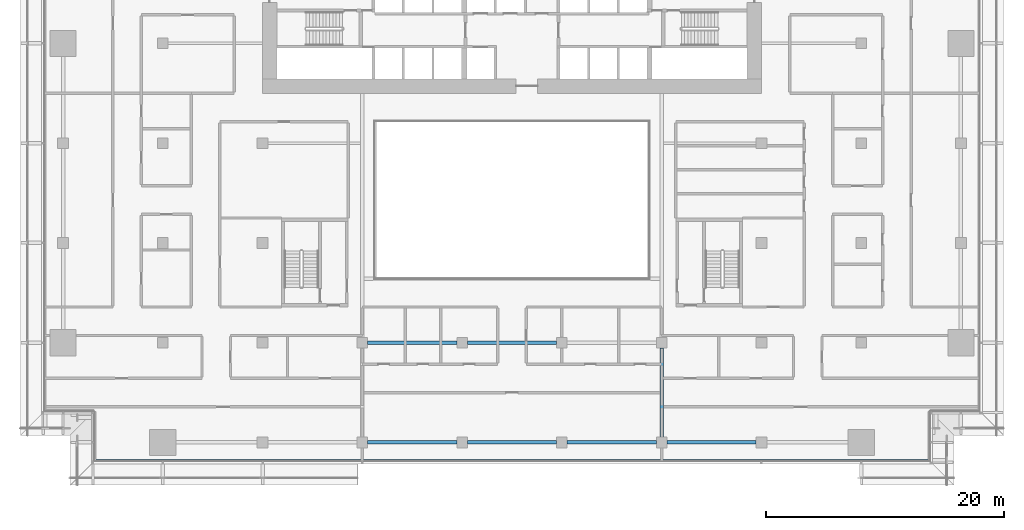
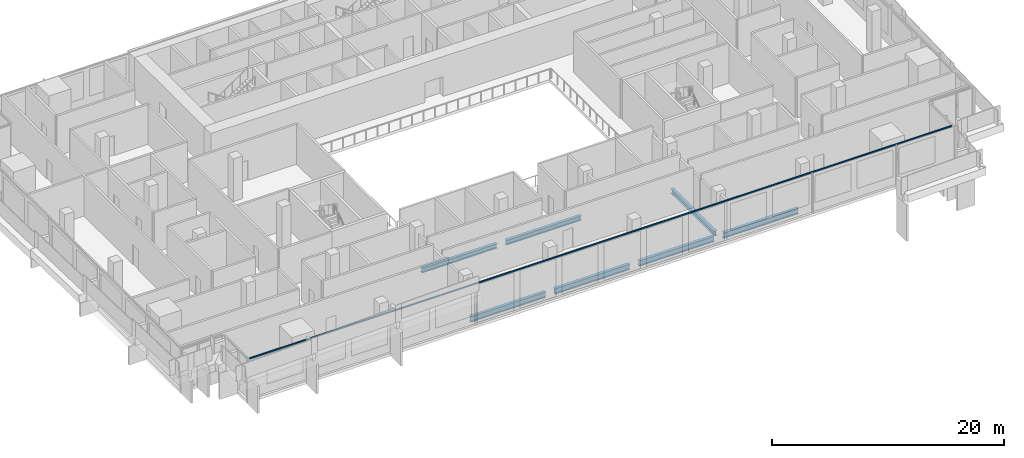
# One storey, part 3 of 23: 7 beams, 1 member, 1 element without a shape of its own.
"""IFC4 building model written with IfcOpenShell, lengths in metres."""

from ifc_helpers import new_model, si_unit, direction, frame, origin, origin_2d, place, context, subcontext, project, spatial, rectangle, i_section, extrude, material, material_profile, profile_set, type_object, element, aggregate, save


model = new_model("IFC4")

# Units and contexts
model_context = context("Model", 3, precision=1e-05, world=origin(), true_north=direction((0.0, 1.0)))
body_context = subcontext(model_context, "Body", "Model", "MODEL_VIEW")
ifc_project = project(units=[si_unit("LENGTHUNIT", "METRE"), si_unit("AREAUNIT", "SQUARE_METRE"), si_unit("VOLUMEUNIT", "CUBIC_METRE"), si_unit("PLANEANGLEUNIT", "RADIAN"), si_unit("MASSUNIT", "GRAM", prefix="KILO")], contexts=[model_context])

# Site, building, storey
site_placement = place(None, origin())
site = spatial("IfcSite", under=ifc_project, at=site_placement, CompositionType="ELEMENT")
building_placement = place(site_placement, origin())
building = spatial("IfcBuilding", under=site, at=building_placement, Name="Saffron Gate Tower", CompositionType="ELEMENT")
storey_placement = place(building_placement, frame((0.0, 0.0, 23.699951171875)))
storey = spatial("IfcBuildingStorey", under=building, at=storey_placement, Name="L04", CompositionType="ELEMENT", Elevation=23.699951171875)

# Beams
ifc_material_1 = material(Name="Structural steel S355", Category="steel")
ifc_material_profile_1 = material_profile(ifc_material_1, i_section(OverallWidth=0.300048828125, OverallDepth=0.590087890625, WebThickness=0.012939453125, FlangeThickness=0.02490234375, FilletRadius=0.027099609375, at=origin_2d()))
ifc_profile_set_1 = profile_set([ifc_material_profile_1], Name="Structural steel S355")
beam_type_1 = type_object("IfcBeamType", Name="B14 HEA 600", PredefinedType="SPANDREL", material=ifc_profile_set_1)
for number, where, z_axis, x_axis, name in (
    (1, (75.449951171875, 31.800048828125, -0.594970703125), (1.0, 0.0, 0.0), (0.0, 1.0, 0.0), "B14 SPANDREL BEAM"),
    (2, (83.85009765625, 31.800048828125, -0.594970703125), (1.0, 0.0, 0.0), (0.0, 1.0, 0.0), "B14 SPANDREL BEAM"),
    (3, (92.25, 31.800048828125, -0.594970703125), (1.0, 0.0, 0.0), (0.0, 1.0, 0.0), "B14 SPANDREL BEAM"),
    (4, (100.64990234375, 31.800048828125, -0.594970703125), (1.0, 0.0, 0.0), (0.0, 1.0, 0.0), "B14 SPANDREL BEAM"),
):
    element("IfcBeam", number, at=place(storey_placement, frame(where, z_axis=z_axis, x_axis=x_axis)), inside=storey, type_object=beam_type_1, Name=name, PredefinedType="SPANDREL", context=body_context, shape_type="SweptSolid", body=[
        extrude(i_section(OverallWidth=0.300048828125, OverallDepth=0.590087890625, WebThickness=0.012939453125, FlangeThickness=0.02490234375, FilletRadius=0.027099609375, at=origin_2d()), origin(), (0.0, 0.0, 1.0), 7.5),
    ])
ifc_material_profile_2 = material_profile(ifc_material_1, i_section(OverallWidth=0.300048828125, OverallDepth=0.5, WebThickness=0.014404296875, FlangeThickness=0.028076171875, FilletRadius=0.027099609375, at=origin_2d()))
ifc_profile_set_2 = profile_set([ifc_material_profile_2], Name="Structural steel S355")
beam_type_2 = type_object("IfcBeamType", Name="B9 HEB 500", PredefinedType="BEAM", material=ifc_profile_set_2)
for number, where, z_axis, x_axis, name in (
    (5, (100.199951171875, 32.25, -0.550048828125), (0.0, 1.0, 0.0), (-1.0, 0.0, 0.0), "B9 FLOOR GIRDER"),
    (6, (75.449951171875, 40.199951171875, -0.550048828125), (1.0, 0.0, 0.0), (0.0, 1.0, 0.0), "B9 FLOOR GIRDER"),
    (7, (83.85009765625, 40.199951171875, -0.550048828125), (1.0, 0.0, 0.0), (0.0, 1.0, 0.0), "B9 FLOOR GIRDER"),
):
    element("IfcBeam", number, at=place(storey_placement, frame(where, z_axis=z_axis, x_axis=x_axis)), inside=storey, type_object=beam_type_2, Name=name, PredefinedType="BEAM", context=body_context, shape_type="SweptSolid", body=[
        extrude(i_section(OverallWidth=0.300048828125, OverallDepth=0.5, WebThickness=0.014404296875, FlangeThickness=0.028076171875, FilletRadius=0.027099609375, at=origin_2d()), origin(), (0.0, 0.0, 1.0), 7.5),
    ])

# Curtain wall, member
ifc_material_2 = material(Name="Aluminium, bronze anodised", Category="aluminium")
curtain_wall_type = type_object("IfcCurtainWallType", Name="CWS6 curtain wall tall storeys", PredefinedType="NOTDEFINED", material=ifc_material_2)
curtain_wall_placement = place(storey_placement, origin())
curtain_wall = element("IfcCurtainWall", 8, at=curtain_wall_placement, inside=storey, type_object=curtain_wall_type, Name="CWS6 run 1", PredefinedType="NOTDEFINED")
ifc_material_profile_3 = material_profile(ifc_material_2, rectangle(XDim=0.1201171875, YDim=0.1201171875, at=origin_2d()))
ifc_profile_set_3 = profile_set([ifc_material_profile_3], Name="Aluminium, bronze anodised")
member_type = type_object("IfcMemberType", Name="CWS6 head transom", PredefinedType="USERDEFINED", material=ifc_profile_set_3)
member_placement = place(storey_placement, frame((52.60791015625, 30.2880859375, 4.14013671875), z_axis=(1.0, 0.0, 0.0), x_axis=(0.0, 1.0, 0.0)))
member = element("IfcMember", 9, at=member_placement, type_object=member_type, Name="CWS6 head transom", ObjectType="TRANSOM", PredefinedType="USERDEFINED", context=body_context, shape_type="SweptSolid", body=[
    extrude(rectangle(XDim=0.1201171875, YDim=0.1201171875, at=origin_2d()), origin(), (0.0, 0.0, 1.0), 69.984130859375),
])
aggregate(curtain_wall, [member])

save(model, "model.ifc")
